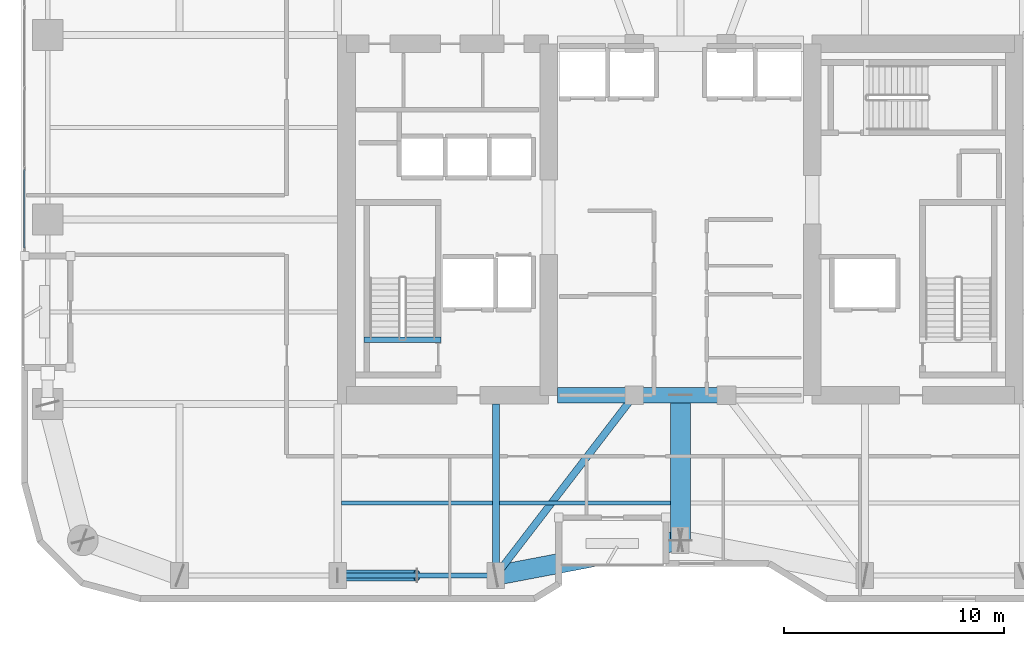
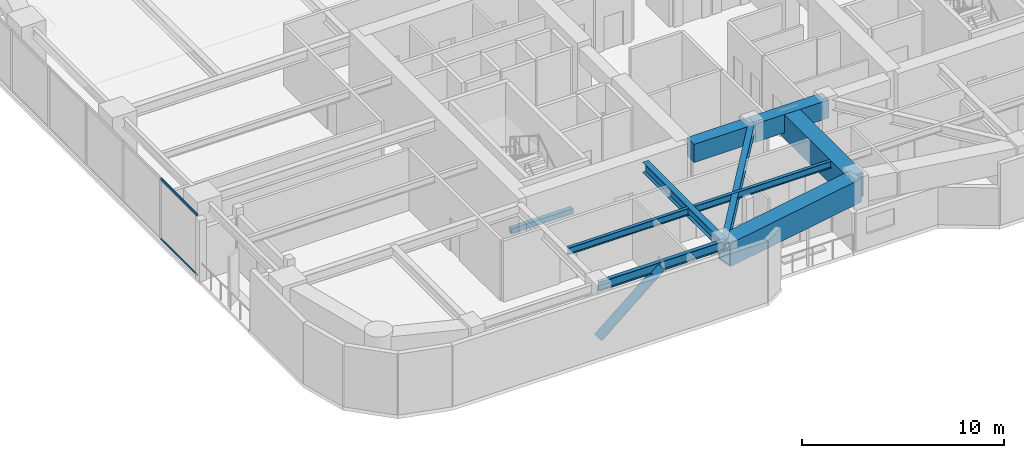
# One storey, part 3 of 30: 10 beams, 3 members, 1 element without a shape of its own.
"""IFC4 building model written with IfcOpenShell, lengths in metres."""

from ifc_helpers import new_model, si_unit, direction, frame, origin, origin_2d, place, context, subcontext, project, spatial, rectangle, hollow_rectangle, hollow_circle, i_section, extrude, material, layer, layer_set, material_profile, profile_set, type_object, element, aggregate, save


model = new_model("IFC4")

# Units and contexts
model_context = context("Model", 3, precision=1e-05, world=origin(), true_north=direction((0.0, 1.0)))
body_context = subcontext(model_context, "Body", "Model", "MODEL_VIEW")
ifc_project = project(units=[si_unit("LENGTHUNIT", "METRE"), si_unit("AREAUNIT", "SQUARE_METRE"), si_unit("VOLUMEUNIT", "CUBIC_METRE"), si_unit("PLANEANGLEUNIT", "RADIAN"), si_unit("MASSUNIT", "GRAM", prefix="KILO")], contexts=[model_context])

# Site, building, storey
site_placement = place(None, origin())
site = spatial("IfcSite", under=ifc_project, at=site_placement, CompositionType="ELEMENT")
building_placement = place(site_placement, origin())
building = spatial("IfcBuilding", under=site, at=building_placement, Name="Kiyonajd Concourse Tower", CompositionType="ELEMENT")
storey_placement = place(building_placement, frame((0.0, 0.0, 150.60009765625)))
storey = spatial("IfcBuildingStorey", under=building, at=storey_placement, Name="L38", CompositionType="ELEMENT", Elevation=150.60009765625)

# Beams
ifc_material_1 = material(Name="Concrete C70/85", Category="concrete")
ifc_material_profile_1 = material_profile(ifc_material_1, rectangle(XDim=0.699951171875, YDim=1.10009765625, at=origin_2d()), Name="RCBM-700x1100")
ifc_profile_set_1 = profile_set([ifc_material_profile_1], Name="Concrete C70/85")
beam_type_1 = type_object("IfcBeamType", Name="BM-COUP-1100", PredefinedType="LINTEL", material=ifc_profile_set_1)
beam_1_placement = place(storey_placement, frame((42.39990234375, 28.0, 3.1298828125), z_axis=(1.0, 0.0, 0.0), x_axis=(0.0, 1.0, 0.0)))
element("IfcBeam", 1, at=beam_1_placement, inside=storey, type_object=beam_type_1, Name="L38 Core Coupling Beam S1", PredefinedType="LINTEL", context=body_context, shape_type="SweptSolid", body=[
    extrude(rectangle(XDim=0.699951171875, YDim=1.10009765625, at=origin_2d()), origin(), (0.0, 0.0, 1.0), 3.5),
])
beam_2_placement = place(storey_placement, frame((45.89990234375, 28.0, 3.1298828125), z_axis=(1.0, 0.0, 0.0), x_axis=(0.0, 1.0, 0.0)))
element("IfcBeam", 2, at=beam_2_placement, inside=storey, type_object=beam_type_1, Name="L38 Core Coupling Beam S2", PredefinedType="LINTEL", context=body_context, shape_type="SweptSolid", body=[
    extrude(rectangle(XDim=0.699951171875, YDim=1.10009765625, at=origin_2d()), origin(), (0.0, 0.0, 1.0), 4.2001953125),
])
ifc_material_2 = material(Name="Steel ASTM A992 Grade 50", Category="steel")
ifc_material_profile_2 = material_profile(ifc_material_2, i_section(OverallWidth=0.180908203125, OverallDepth=0.4169921875, WebThickness=0.010986328125, FlangeThickness=0.018310546875, at=origin_2d()), Name="W410X85")
ifc_profile_set_2 = profile_set([ifc_material_profile_2], Name="Steel ASTM A992 Grade 50")
beam_type_2 = type_object("IfcBeamType", Name="BM-JST-410", PredefinedType="JOIST", material=ifc_profile_set_2)
beam_3_placement = place(storey_placement, frame((32.5634765625, 23.10009765625, 3.471435546875), z_axis=(1.0, 0.0, 0.0), x_axis=(0.0, 1.0, 0.0)))
element("IfcBeam", 3, at=beam_3_placement, inside=storey, type_object=beam_type_2, Name="L38 Secondary Floor Joist", PredefinedType="JOIST", context=body_context, shape_type="SweptSolid", body=[
    extrude(i_section(OverallWidth=0.180908203125, OverallDepth=0.4169921875, WebThickness=0.010986328125, FlangeThickness=0.018310546875, at=origin_2d()), origin(), (0.0, 0.0, 1.0), 6.873046875),
])
beam_4_placement = place(storey_placement, frame((39.763427734375, 23.10009765625, 3.471435546875), z_axis=(1.0, 0.0, 0.0), x_axis=(0.0, 1.0, 0.0)))
element("IfcBeam", 4, at=beam_4_placement, inside=storey, type_object=beam_type_2, Name="L38 Secondary Floor Joist", PredefinedType="JOIST", context=body_context, shape_type="SweptSolid", body=[
    extrude(i_section(OverallWidth=0.180908203125, OverallDepth=0.4169921875, WebThickness=0.010986328125, FlangeThickness=0.018310546875, at=origin_2d()), origin(), (0.0, 0.0, 1.0), 7.78662109375),
])
ifc_material_3 = material(Name="Concrete C50/60", Category="concrete")
ifc_material_profile_3 = material_profile(ifc_material_3, rectangle(XDim=0.239990234375, YDim=0.320068359375, at=origin_2d()), Name="RCBM-240x320")
ifc_profile_set_3 = profile_set([ifc_material_profile_3], Name="Concrete C50/60")
beam_type_3 = type_object("IfcBeamType", Name="BM-LNT-250", PredefinedType="LINTEL", material=ifc_profile_set_3)
beam_5_placement = place(storey_placement, frame((33.590087890625, 30.530029296875, -0.16015625), z_axis=(1.0, 0.0, 0.0), x_axis=(0.0, 1.0, 0.0)))
element("IfcBeam", 5, at=beam_5_placement, inside=storey, type_object=beam_type_3, Name="L38 Stair ST1 Threshold Support Beam", PredefinedType="LINTEL", context=body_context, shape_type="SweptSolid", body=[
    extrude(rectangle(XDim=0.239990234375, YDim=0.320068359375, at=origin_2d()), origin(), (0.0, 0.0, 1.0), 3.52001953125),
])
ifc_material_profile_4 = material_profile(ifc_material_2, i_section(OverallWidth=0.214111328125, OverallDepth=0.549072265625, WebThickness=0.0146484375, FlangeThickness=0.023681640625, at=origin_2d()), Name="W530X138")
ifc_profile_set_4 = profile_set([ifc_material_profile_4], Name="Steel ASTM A992 Grade 50")
beam_type_4 = type_object("IfcBeamType", Name="BM-SPAN-530A", PredefinedType="SPANDREL", material=ifc_profile_set_4)
beam_6_placement = place(storey_placement, frame((32.39990234375, 19.800048828125, 3.405517578125), z_axis=(1.0, 0.0, 0.0), x_axis=(0.0, 1.0, 0.0)))
element("IfcBeam", 6, at=beam_6_placement, inside=storey, type_object=beam_type_4, Name="L38 Perimeter Bundled Tube Spandrel", PredefinedType="SPANDREL", context=body_context, shape_type="SweptSolid", body=[
    extrude(i_section(OverallWidth=0.214111328125, OverallDepth=0.549072265625, WebThickness=0.0146484375, FlangeThickness=0.023681640625, at=origin_2d()), origin(), (0.0, 0.0, 1.0), 7.2001953125),
])
ifc_material_profile_5 = material_profile(ifc_material_2, i_section(OverallWidth=0.326904296875, OverallDepth=0.6220703125, WebThickness=0.015380859375, FlangeThickness=0.0244140625, at=origin_2d()), Name="W610X195")
ifc_profile_set_5 = profile_set([ifc_material_profile_5], Name="Steel ASTM A992 Grade 50")
beam_type_5 = type_object("IfcBeamType", Name="BM-TWR-610A", PredefinedType="BEAM", material=ifc_profile_set_5)
beam_7_placement = place(storey_placement, frame((39.60009765625, 19.800048828125, 3.368896484375), z_axis=(0.609233709922, 0.792990722956, 0.0), x_axis=(-0.792990722956, 0.609233709922, 0.0)))
element("IfcBeam", 7, at=beam_7_placement, inside=storey, type_object=beam_type_5, Name="L38 Core Tie Girder", PredefinedType="BEAM", context=body_context, shape_type="SweptSolid", body=[
    extrude(i_section(OverallWidth=0.326904296875, OverallDepth=0.6220703125, WebThickness=0.015380859375, FlangeThickness=0.0244140625, at=origin_2d()), origin(), (0.0, 0.0, 1.0), 10.340576171875),
])
beam_8_placement = place(storey_placement, frame((39.60009765625, 19.800048828125, 3.368896484375), z_axis=(0.0, 1.0, 0.0), x_axis=(-1.0, 0.0, 0.0)))
element("IfcBeam", 8, at=beam_8_placement, inside=storey, type_object=beam_type_5, Name="L38 South Lease Girder", PredefinedType="BEAM", context=body_context, shape_type="SweptSolid", body=[
    extrude(i_section(OverallWidth=0.326904296875, OverallDepth=0.6220703125, WebThickness=0.015380859375, FlangeThickness=0.0244140625, at=origin_2d()), origin(), (0.0, 0.0, 1.0), 7.800048828125),
])
ifc_material_4 = material(Name="Steel ASTM A572 Grade 50", Category="steel")
ifc_material_profile_6 = material_profile(ifc_material_4, hollow_rectangle(XDim=0.89990234375, YDim=1.39990234375, WallThickness=0.070068359375, at=origin_2d()), Name="BOX-1400x900x70")
ifc_profile_set_6 = profile_set([ifc_material_profile_6], Name="Steel ASTM A572 Grade 50")
beam_type_6 = type_object("IfcBeamType", Name="BM-XFER-1400", PredefinedType="BEAM", material=ifc_profile_set_6)
beam_9_placement = place(storey_placement, frame((39.60009765625, 19.800048828125, 2.97998046875), z_axis=(0.982341315253, 0.187097675953, 0.0), x_axis=(-0.187097675953, 0.982341315253, 0.0)))
element("IfcBeam", 9, at=beam_9_placement, inside=storey, type_object=beam_type_6, Name="L38 Perimeter Bundled Tube Spandrel", PredefinedType="BEAM", context=body_context, shape_type="SweptSolid", body=[
    extrude(hollow_rectangle(XDim=0.89990234375, YDim=1.39990234375, WallThickness=0.070068359375, at=origin_2d()), origin(), (0.0, 0.0, 1.0), 8.55078125),
])
ifc_material_profile_7 = material_profile(ifc_material_4, hollow_rectangle(XDim=0.89990234375, YDim=1.449951171875, WallThickness=0.074951171875, at=origin_2d()), Name="BOX-1450x900x75")
ifc_profile_set_7 = profile_set([ifc_material_profile_7], Name="Steel ASTM A572 Grade 50")
beam_type_7 = type_object("IfcBeamType", Name="BM-XFER-1800", PredefinedType="BEAM", material=ifc_profile_set_7)
beam_10_placement = place(storey_placement, frame((48.0, 21.39990234375, 2.954833984375), z_axis=(0.0, 1.0, 0.0), x_axis=(-1.0, 0.0, 0.0)))
element("IfcBeam", 10, at=beam_10_placement, inside=storey, type_object=beam_type_7, Name="L38 South Ribbon Girder", PredefinedType="BEAM", context=body_context, shape_type="SweptSolid", body=[
    extrude(hollow_rectangle(XDim=0.89990234375, YDim=1.449951171875, WallThickness=0.074951171875, at=origin_2d()), origin(), (0.0, 0.0, 1.0), 6.60009765625),
])

# Curtain wall, members
ifc_material_5 = material(Name="Thermally Broken Anodised Aluminium", Category="aluminium")
ifc_layer = layer(ifc_material_5, 0.179931640625)
ifc_layer_set = layer_set([ifc_layer], Name="Thermally Broken Anodised Aluminium")
curtain_wall_type = type_object("IfcCurtainWallType", Name="CW-SYS-03", PredefinedType="NOTDEFINED", material=ifc_layer_set)
curtain_wall_placement = place(storey_placement, origin())
curtain_wall = element("IfcCurtainWall", 11, at=curtain_wall_placement, inside=storey, type_object=curtain_wall_type, Name="L38 Unitised Curtain Wall CW3", PredefinedType="NOTDEFINED")
ifc_material_profile_8 = material_profile(ifc_material_5, hollow_rectangle(XDim=0.06494140625, YDim=0.139892578125, WallThickness=0.00390625, at=origin_2d()), Name="TRAN-65x140")
ifc_profile_set_8 = profile_set([ifc_material_profile_8], Name="Thermally Broken Anodised Aluminium")
member_type_1 = type_object("IfcMemberType", Name="MB-CW-TRAN1", PredefinedType="USERDEFINED", material=ifc_profile_set_8)
member_1_placement = place(storey_placement, frame((18.139892578125, 34.695068359375, 0.032470703125), z_axis=(0.0, 1.0, 0.0), x_axis=(-1.0, 0.0, 0.0)))
member_1 = element("IfcMember", 12, at=member_1_placement, type_object=member_type_1, Name="CW3 transom 1.1", ObjectType="TRANSOM", PredefinedType="USERDEFINED", context=body_context, shape_type="SweptSolid", body=[
    extrude(hollow_rectangle(XDim=0.06494140625, YDim=0.139892578125, WallThickness=0.00390625, at=origin_2d()), origin(), (0.0, 0.0, 1.0), 3.579345703125),
])
member_2_placement = place(storey_placement, frame((18.139892578125, 34.695068359375, 3.6474609375), z_axis=(0.0, 1.0, 0.0), x_axis=(-1.0, 0.0, 0.0)))
member_2 = element("IfcMember", 13, at=member_2_placement, type_object=member_type_1, Name="CW3 transom 1.2", ObjectType="TRANSOM", PredefinedType="USERDEFINED", context=body_context, shape_type="SweptSolid", body=[
    extrude(hollow_rectangle(XDim=0.06494140625, YDim=0.139892578125, WallThickness=0.00390625, at=origin_2d()), origin(), (0.0, 0.0, 1.0), 3.579345703125),
])
aggregate(curtain_wall, [member_1, member_2])

# Member
ifc_material_6 = material(Name="Steel ASTM A500 Grade C", Category="steel")
ifc_material_profile_9 = material_profile(ifc_material_6, hollow_circle(Radius=0.25390625, WallThickness=0.02197265625, at=origin_2d()), Name="CHS-508x22")
ifc_profile_set_9 = profile_set([ifc_material_profile_9], Name="Steel ASTM A500 Grade C")
member_type_2 = type_object("IfcMemberType", Name="MB-PB-MID", PredefinedType="BRACE", material=ifc_profile_set_9)
member_3_placement = place(storey_placement, frame((32.39990234375, 19.800048828125, 0.2998046875), z_axis=(0.765082043761, 0.0, 0.643932811957), x_axis=(0.0, 1.0, 0.0)))
element("IfcMember", 14, at=member_3_placement, inside=storey, type_object=member_type_2, Name="L38 Upper Zone Hollow Tube Brace PBS", PredefinedType="BRACE", context=body_context, shape_type="SweptSolid", body=[
    extrude(hollow_circle(Radius=0.25390625, WallThickness=0.02197265625, at=origin_2d()), origin(), (0.0, 0.0, 1.0), 4.70556640625),
])

save(model, "model.ifc")
